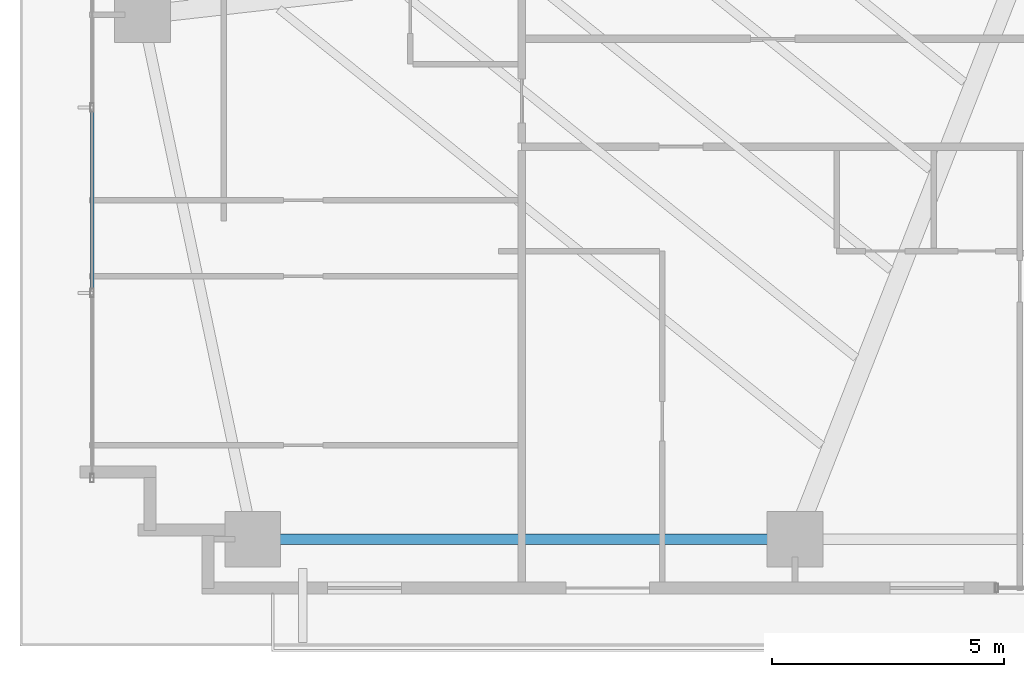
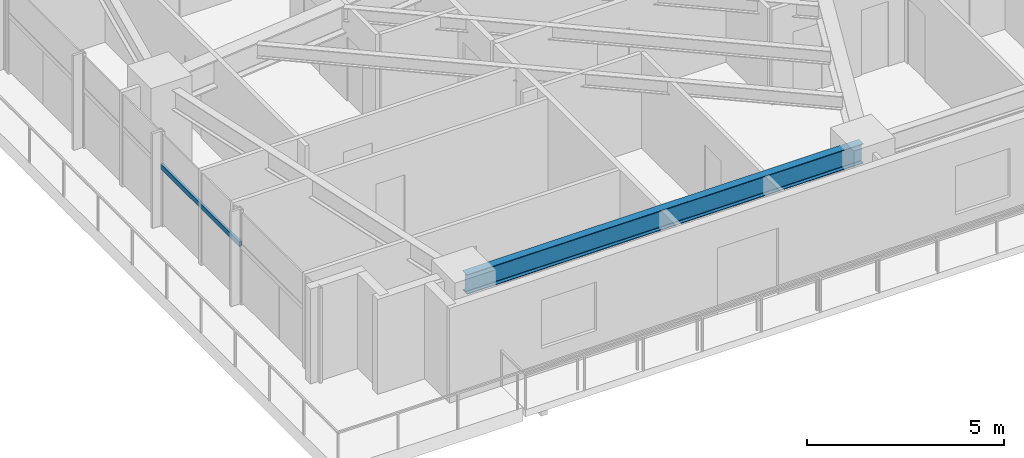
# One storey, part 3 of 26: 1 beam, 1 member, 1 element without a shape of its own.
"""IFC4 building model written with IfcOpenShell, lengths in metres."""

from ifc_helpers import new_model, si_unit, direction, frame, origin, origin_2d, place, context, subcontext, project, spatial, hollow_rectangle, i_section, extrude, source, transform, mapped, material, material_profile, profile_set, type_object, type_shapes, element, aggregate, save


model = new_model("IFC4")

# Units and contexts
model_context = context("Model", 3, precision=1e-05, world=origin(), true_north=direction((0.0, 1.0)))
body_context = subcontext(model_context, "Body", "Model", "MODEL_VIEW")
ifc_project = project(units=[si_unit("LENGTHUNIT", "METRE"), si_unit("AREAUNIT", "SQUARE_METRE"), si_unit("VOLUMEUNIT", "CUBIC_METRE"), si_unit("PLANEANGLEUNIT", "RADIAN"), si_unit("MASSUNIT", "GRAM", prefix="KILO")], contexts=[model_context])

# Site, building, storey
site_placement = place(None, origin())
site = spatial("IfcSite", under=ifc_project, at=site_placement, CompositionType="ELEMENT")
building_placement = place(site_placement, origin())
building = spatial("IfcBuilding", under=site, at=building_placement, Name="Astriad Promenade Condominiums", CompositionType="ELEMENT")
storey_placement = place(building_placement, frame((0.0, 0.0, 23.0)))
storey = spatial("IfcBuildingStorey", under=building, at=storey_placement, Name="L05", CompositionType="ELEMENT", Elevation=23.0)

# Beam
ifc_material_1 = material(Name="Steel ASTM A992 Grade 50", Category="steel")
ifc_material_profile_1 = material_profile(ifc_material_1, i_section(OverallWidth=0.22900390625, OverallDepth=0.612060546875, WebThickness=0.011962890625, FlangeThickness=0.01953125, FilletRadius=0.017822265625, at=origin_2d()), Name="W24X84")
ifc_profile_set_1 = profile_set([ifc_material_profile_1], Name="Steel ASTM A992 Grade 50")
beam_type = type_object("IfcBeamType", Name="STEEL SPANDREL BEAM W24X84", PredefinedType="SPANDREL", material=ifc_profile_set_1)
shared_shape_1 = source(origin(), body_context, "Body", "SweptSolid", [
    extrude(i_section(OverallWidth=0.22900390625, OverallDepth=0.612060546875, WebThickness=0.011962890625, FlangeThickness=0.01953125, FilletRadius=0.017822265625, at=origin_2d()), origin(), (0.0, 0.0, 1.0), 11.6201171875),
])
type_shapes(beam_type, [shared_shape_1])
beam_placement = place(storey_placement, frame((9.43994140625, 3.8798828125, 2.634033203125), z_axis=(1.0, 0.0, 0.0), x_axis=(0.0, 1.0, 0.0)))
element("IfcBeam", 1, at=beam_placement, inside=storey, type_object=beam_type, Name="Perimeter Spandrel Beam SP-S1-L05", PredefinedType="SPANDREL", context=body_context, shape_type="MappedRepresentation", body=[
    mapped(shared_shape_1, transform((0.0, 0.0, 0.0), scale=1.0)),
])

# Curtain wall, member
ifc_material_2 = material(Name="Anodised aluminium Black Dark Glass Unitised", Category="aluminium")
curtain_wall_type = type_object("IfcCurtainWallType", Name="CW-B1-DARK", PredefinedType="USERDEFINED", material=ifc_material_2)
curtain_wall_placement = place(storey_placement, origin())
curtain_wall = element("IfcCurtainWall", 2, at=curtain_wall_placement, inside=storey, type_object=curtain_wall_type, Name="CW-L05-W", ObjectType="UNITISED_CURTAIN_WALL", PredefinedType="USERDEFINED")
ifc_material_3 = material(Name="Anodised aluminium 6063-T6 Black", Category="aluminium")
ifc_material_profile_2 = material_profile(ifc_material_3, hollow_rectangle(XDim=0.074951171875, YDim=0.14990234375, WallThickness=0.004150390625, at=origin_2d()), Name="ALU-TRN-75X150")
ifc_profile_set_2 = profile_set([ifc_material_profile_2], Name="Anodised aluminium 6063-T6 Black")
member_type = type_object("IfcMemberType", Name="TRN-ALU-TRN-75X150", PredefinedType="USERDEFINED", material=ifc_profile_set_2)
shared_shape_2 = source(origin(), body_context, "Body", "SweptSolid", [
    extrude(hollow_rectangle(XDim=0.074951171875, YDim=0.14990234375, WallThickness=0.004150390625, at=origin_2d()), origin(), (0.0, 0.0, 1.0), 4.0),
])
type_shapes(member_type, [shared_shape_2])
member_placement = place(storey_placement, frame((5.929931640625, 9.199951171875, 1.82275390625), z_axis=(0.0, 1.0, 0.0), x_axis=(-1.0, 0.0, 0.0)))
member = element("IfcMember", 3, at=member_placement, type_object=member_type, Name="CW-L05-W-TRN-01-0", ObjectType="TRANSOM", PredefinedType="USERDEFINED", context=body_context, shape_type="MappedRepresentation", body=[
    mapped(shared_shape_2, transform((0.0, 0.0, 0.0), scale=1.0)),
])
aggregate(curtain_wall, [member])

save(model, "model.ifc")
